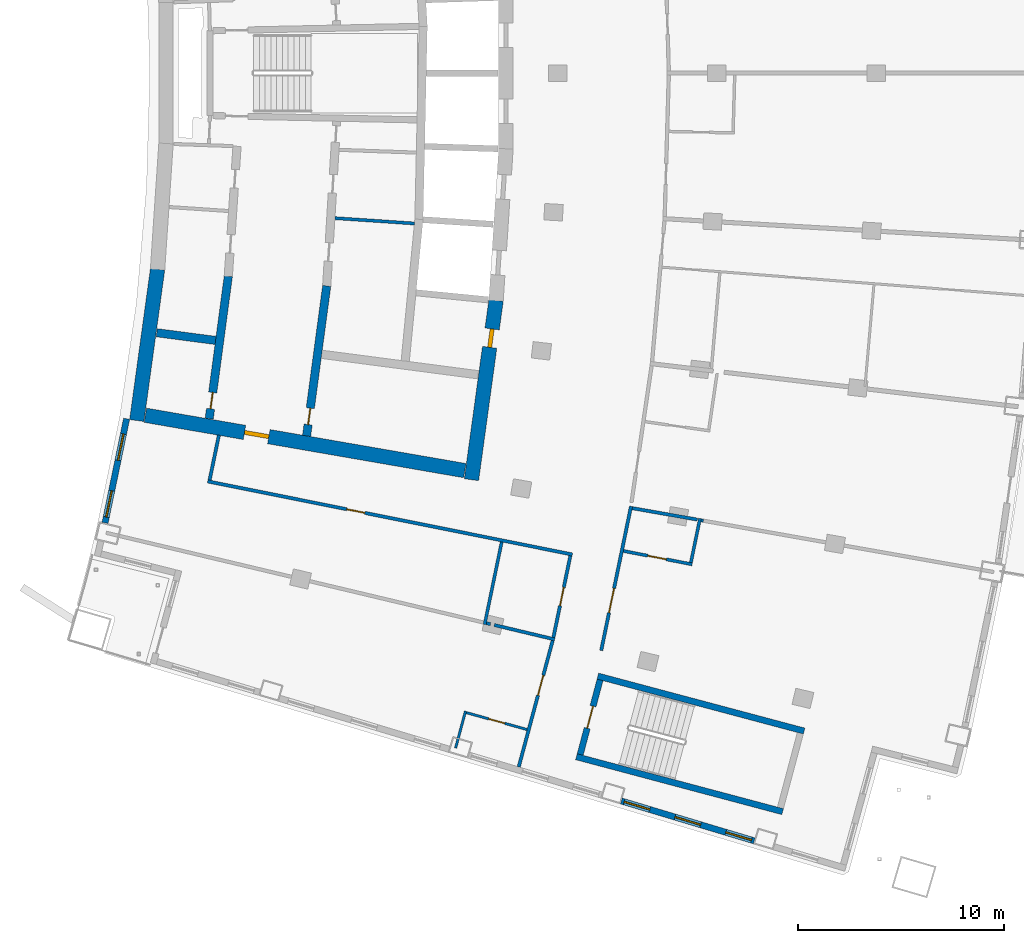
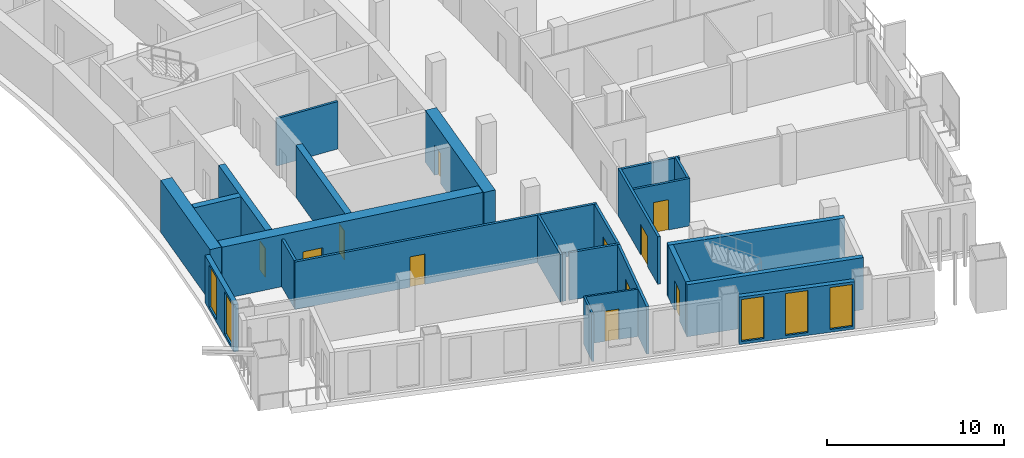
# One storey, part 10 of 19: 26 walls, 11 doors, 5 windows, 16 openings.
"""IFC4 building model written with IfcOpenShell, lengths in metres."""

from ifc_helpers import new_model, si_unit, direction, frame, frame_2d, origin, place, context, subcontext, project, spatial, rectangle, extrude, material, layer, layer_set, type_object, element, fill, save


model = new_model("IFC4")

# Units and contexts
model_context = context("Model", 3, precision=1e-05, world=origin(), true_north=direction((0.0, 1.0)))
body_context = subcontext(model_context, "Body", "Model", "MODEL_VIEW")
ifc_project = project(units=[si_unit("LENGTHUNIT", "METRE"), si_unit("AREAUNIT", "SQUARE_METRE"), si_unit("VOLUMEUNIT", "CUBIC_METRE"), si_unit("PLANEANGLEUNIT", "RADIAN"), si_unit("MASSUNIT", "GRAM", prefix="KILO")], contexts=[model_context])

# Site, building, storey
site_placement = place(None, origin())
site = spatial("IfcSite", under=ifc_project, at=site_placement, CompositionType="ELEMENT")
building_placement = place(site_placement, origin())
building = spatial("IfcBuilding", under=site, at=building_placement, Name="Alderwake Tower", CompositionType="ELEMENT")
storey_placement = place(building_placement, frame((0.0, 0.0, 174.800048828125)))
storey = spatial("IfcBuildingStorey", under=building, at=storey_placement, Name="L43", CompositionType="ELEMENT", Elevation=174.800048828125)

# Walls
ifc_material_1 = material(Name="Gypsum shaft wall system, rated")
ifc_layer_1 = layer(ifc_material_1, 0.14990234375)
ifc_layer_set_1 = layer_set([ifc_layer_1], Name="Core room partition 150")
wall_type_1 = type_object("IfcWallType", Name="Core room partition 150", PredefinedType="PARTITIONING", material=ifc_layer_set_1)
wall_1_placement = place(storey_placement, frame((24.990234375, 53.96142578125, 0.0), z_axis=(0.0, 0.0, 1.0), x_axis=(0.997758824467, -0.06691284031, 0.0)))
element("IfcWall", 1, at=wall_1_placement, inside=storey, type_object=wall_type_1, Name="CW/L43/PR-70_+86", PredefinedType="PARTITIONING", context=body_context, shape_type="SweptSolid", body=[
    extrude(rectangle(XDim=3.86767578125, YDim=0.14990234375, at=frame_2d((1.933837890625, 0.0))), origin(), (0.0, 0.0, 1.0), 3.280029296875),
])
ifc_material_2 = material(Name="Concrete C70/85", Category="concrete")
ifc_layer_2 = layer(ifc_material_2, 0.699951171875)
ifc_layer_set_2 = layer_set([ifc_layer_2], Name="Core wall outer 700 C70-85")
wall_type_2 = type_object("IfcWallType", Name="Core wall outer 700 C70-85", PredefinedType="SHEAR", material=ifc_layer_set_2)
wall_2_placement = place(storey_placement, frame((15.370849609375, 44.1376953125, 0.0), z_axis=(0.0, 0.0, 1.0), x_axis=(0.136315619812, 0.99066545907, 0.0)))
element("IfcWall", 2, at=wall_2_placement, inside=storey, type_object=wall_type_2, Name="Core wall CW.042", PredefinedType="SHEAR", context=body_context, shape_type="SweptSolid", body=[
    extrude(rectangle(XDim=7.420166015625, YDim=0.699951171875, at=frame_2d((3.7099609375, 0.0))), origin(), (0.0, 0.0, 1.0), 3.599853515625),
])

# Wall, opening, door
wall_3_placement = place(storey_placement, frame((32.81298828125, 49.97412109375, 0.0), z_axis=(0.0, 0.0, 1.0), x_axis=(-0.135835706655, -0.99073137671, 0.0)))
wall_3 = element("IfcWall", 3, at=wall_3_placement, inside=storey, type_object=wall_type_2, Name="Core wall CW.012", PredefinedType="SHEAR", context=body_context, shape_type="SweptSolid", body=[
    extrude(rectangle(XDim=8.790771484375, YDim=0.699951171875, at=frame_2d((4.3955078125, 0.0))), origin(), (0.0, 0.0, 1.0), 3.599853515625),
])
opening_1_placement = place(wall_3_placement, frame((1.40478515625, 0.0, 0.0)))
opening_1 = element("IfcOpeningElement", 4, at=opening_1_placement, cuts=wall_3, Name="Opening C050", PredefinedType="OPENING", context=body_context, shape_type="SweptSolid", body=[
    extrude(rectangle(XDim=0.89990234375, YDim=2.10009765625, at=frame_2d((0.449951171875, 1.050048828125))), frame((0.0, 0.35986328125, 0.0), z_axis=(0.0, -1.0, 0.0), x_axis=(1.0, 0.0, 0.0)), (0.0, 0.0, 1.0), 0.719970703125),
])
ifc_material_3 = material(Name="Painted steel leaf", Category="steel")
door_type_1 = type_object("IfcDoorType", Name="Core room door 900", OperationType="SINGLE_SWING_LEFT", PredefinedType="DOOR", material=ifc_material_3)
door_1_placement = place(opening_1_placement, origin())
door_1 = element("IfcDoor", 5, at=door_1_placement, inside=storey, type_object=door_type_1, Name="Room door", OperationType="SINGLE_SWING_RIGHT", OverallHeight=2.10009765625, OverallWidth=0.89990234375, PredefinedType="DOOR", context=body_context, shape_type="SweptSolid", body=[
    extrude(rectangle(XDim=0.89990234375, YDim=2.10009765625, at=frame_2d((0.449951171875, 1.050048828125))), frame((0.0, 0.10009765625, 0.0), z_axis=(0.0, -1.0, 0.0), x_axis=(1.0, 0.0, 0.0)), (0.0, 0.0, 1.0), 0.199951171875),
])
fill(opening_1, door_1)

wall_4_placement = place(storey_placement, frame((31.295654296875, 41.705810546875, 0.0), z_axis=(0.0, 0.0, 1.0), x_axis=(-0.985302589944, 0.170818050129, 0.0)))
wall_4 = element("IfcWall", 6, at=wall_4_placement, inside=storey, type_object=wall_type_2, Name="Core wall CW.072", PredefinedType="SHEAR", context=body_context, shape_type="SweptSolid", body=[
    extrude(rectangle(XDim=15.7373046875, YDim=0.699951171875, at=frame_2d((7.86865234375, 0.0))), origin(), (0.0, 0.0, 1.0), 3.599853515625),
])
opening_2_placement = place(wall_4_placement, frame((9.65576171875, 0.0, 0.0)))
opening_2 = element("IfcOpeningElement", 7, at=opening_2_placement, cuts=wall_4, Name="Opening C003", PredefinedType="OPENING", context=body_context, shape_type="SweptSolid", body=[
    extrude(rectangle(XDim=1.199951171875, YDim=2.10009765625, at=frame_2d((0.60009765625, 1.050048828125))), frame((0.0, 0.35986328125, 0.0), z_axis=(0.0, -1.0, 0.0), x_axis=(1.0, 0.0, 0.0)), (0.0, 0.0, 1.0), 0.719970703125),
])
ifc_material_4 = material(Name="Steel-framed fire door leaf", Category="steel")
door_type_2 = type_object("IfcDoorType", Name="Core lobby exit door 1200 fire-rated", OperationType="SINGLE_SWING_LEFT", PredefinedType="DOOR", material=ifc_material_4)
door_2_placement = place(opening_2_placement, origin())
door_2 = element("IfcDoor", 8, at=door_2_placement, inside=storey, type_object=door_type_2, Name="Lobby door", OperationType="SINGLE_SWING_LEFT", OverallHeight=2.10009765625, OverallWidth=1.199951171875, PredefinedType="DOOR", context=body_context, shape_type="SweptSolid", body=[
    extrude(rectangle(XDim=1.199951171875, YDim=2.10009765625, at=frame_2d((0.60009765625, 1.050048828125))), frame((0.0, 0.10009765625, 0.0), z_axis=(0.0, -1.0, 0.0), x_axis=(1.0, 0.0, 0.0)), (0.0, 0.0, 1.0), 0.199951171875),
])
fill(opening_2, door_2)

ifc_material_5 = material(Name="Concrete C70/85", Category="concrete")
ifc_layer_3 = layer(ifc_material_5, 0.39990234375)
ifc_layer_set_3 = layer_set([ifc_layer_3], Name="Core wall spine 400 C70-85")
wall_type_3 = type_object("IfcWallType", Name="Core wall spine 400 C70-85", PredefinedType="SHEAR", material=ifc_layer_set_3)
wall_5_placement = place(storey_placement, frame((19.814697265625, 51.143798828125, 0.0), z_axis=(0.0, 0.0, 1.0), x_axis=(-0.132864871698, -0.991134161387, 0.0)))
wall_5 = element("IfcWall", 9, at=wall_5_placement, inside=storey, type_object=wall_type_3, Name="Core wall CW.033", PredefinedType="SHEAR", context=body_context, shape_type="SweptSolid", body=[
    extrude(rectangle(XDim=6.978759765625, YDim=0.39990234375, at=frame_2d((3.4892578125, 0.0))), origin(), (0.0, 0.0, 1.0), 3.599853515625),
])
opening_3_placement = place(wall_5_placement, frame((5.69677734375, 0.0, 0.0)))
opening_3 = element("IfcOpeningElement", 10, at=opening_3_placement, cuts=wall_5, Name="Opening C007", PredefinedType="OPENING", context=body_context, shape_type="SweptSolid", body=[
    extrude(rectangle(XDim=0.800048828125, YDim=2.0, at=frame_2d((0.39990234375, 1.0))), frame((0.0, 0.2099609375, 0.0), z_axis=(0.0, -1.0, 0.0), x_axis=(1.0, 0.0, 0.0)), (0.0, 0.0, 1.0), 0.419921875),
])
ifc_material_6 = material(Name="Painted steel leaf, rated", Category="steel")
door_type_3 = type_object("IfcDoorType", Name="Riser access door 800", OperationType="SINGLE_SWING_LEFT", PredefinedType="DOOR", material=ifc_material_6)
door_3_placement = place(opening_3_placement, origin())
door_3 = element("IfcDoor", 11, at=door_3_placement, inside=storey, type_object=door_type_3, Name="Riser access door", OperationType="SINGLE_SWING_LEFT", OverallHeight=2.0, OverallWidth=0.800048828125, PredefinedType="DOOR", context=body_context, shape_type="SweptSolid", body=[
    extrude(rectangle(XDim=0.800048828125, YDim=2.0, at=frame_2d((0.39990234375, 1.0))), frame((0.0, 0.02490234375, 0.0), z_axis=(0.0, -1.0, 0.0), x_axis=(1.0, 0.0, 0.0)), (0.0, 0.0, 1.0), 0.050048828125),
])
fill(opening_3, door_3)

wall_6_placement = place(storey_placement, frame((23.6142578125, 43.390869140625, 0.0), z_axis=(0.0, 0.0, 1.0), x_axis=(0.133023466616, 0.991112888287, 0.0)))
wall_6 = element("IfcWall", 12, at=wall_6_placement, inside=storey, type_object=wall_type_3, Name="Core wall CW.047", PredefinedType="SHEAR", context=body_context, shape_type="SweptSolid", body=[
    extrude(rectangle(XDim=7.3466796875, YDim=0.39990234375, at=frame_2d((3.67333984375, 0.0))), origin(), (0.0, 0.0, 1.0), 3.599853515625),
])
opening_4_placement = place(wall_6_placement, frame((0.557861328125, 0.0, 0.0)))
opening_4 = element("IfcOpeningElement", 13, at=opening_4_placement, cuts=wall_6, Name="Opening C014", PredefinedType="OPENING", context=body_context, shape_type="SweptSolid", body=[
    extrude(rectangle(XDim=0.800048828125, YDim=2.0, at=frame_2d((0.39990234375, 1.0))), frame((0.0, 0.2099609375, 0.0), z_axis=(0.0, -1.0, 0.0), x_axis=(1.0, 0.0, 0.0)), (0.0, 0.0, 1.0), 0.419921875),
])
door_4_placement = place(opening_4_placement, origin())
door_4 = element("IfcDoor", 14, at=door_4_placement, inside=storey, type_object=door_type_3, Name="Riser access door", OperationType="SINGLE_SWING_RIGHT", OverallHeight=2.0, OverallWidth=0.800048828125, PredefinedType="DOOR", context=body_context, shape_type="SweptSolid", body=[
    extrude(rectangle(XDim=0.800048828125, YDim=2.0, at=frame_2d((0.39990234375, 1.0))), frame((0.0, 0.02490234375, 0.0), z_axis=(0.0, -1.0, 0.0), x_axis=(1.0, 0.0, 0.0)), (0.0, 0.0, 1.0), 0.050048828125),
])
fill(opening_4, door_4)

# Walls
wall_7_placement = place(storey_placement, frame((16.3408203125, 48.3994140625, 0.0), z_axis=(0.0, 0.0, 1.0), x_axis=(0.991544987266, -0.129763393253, 0.0)))
element("IfcWall", 15, at=wall_7_placement, inside=storey, type_object=wall_type_3, Name="Core wall CW.067", PredefinedType="SHEAR", context=body_context, shape_type="SweptSolid", body=[
    extrude(rectangle(XDim=2.878662109375, YDim=0.39990234375, at=frame_2d((1.439453125, 0.0))), origin(), (0.0, 0.0, 1.0), 3.599853515625),
])
ifc_material_7 = material(Name="Concrete C70/85", Category="concrete")
ifc_layer_4 = layer(ifc_material_7, 0.300048828125)
ifc_layer_set_4 = layer_set([ifc_layer_4], Name="Core wall stair enclosure 300 C70-85")
wall_type_4 = type_object("IfcWallType", Name="Core wall stair enclosure 300 C70-85", PredefinedType="SHEAR", material=ifc_layer_set_4)
for number, where, z_axis, x_axis, name in (
    (16, (37.75390625, 31.731201171875, 0.0), (0.0, 0.0, 1.0), (0.966309214305, -0.257383958996, 0.0), "Core wall CW.086"),
    (17, (36.71142578125, 27.817626953125, 0.0), (0.0, 0.0, 1.0), (0.966309214305, -0.257383958996, 0.0), "Core wall CW.088"),
):
    element("IfcWall", number, at=place(storey_placement, frame(where, z_axis=z_axis, x_axis=x_axis)), inside=storey, type_object=wall_type_4, Name=name, PredefinedType="SHEAR", context=body_context, shape_type="SweptSolid", body=[
        extrude(rectangle(XDim=10.360107421875, YDim=0.300048828125, at=frame_2d((5.18017578125, 0.0))), origin(), (0.0, 0.0, 1.0), 3.599853515625),
    ])

# Wall, opening, door
wall_8_placement = place(storey_placement, frame((36.89501953125, 27.923828125, 0.0), z_axis=(0.0, 0.0, 1.0), x_axis=(0.257350630826, 0.966318090907, 0.0)))
wall_8 = element("IfcWall", 18, at=wall_8_placement, inside=storey, type_object=wall_type_4, Name="Core wall CW.087", PredefinedType="SHEAR", context=body_context, shape_type="SweptSolid", body=[
    extrude(rectangle(XDim=3.75, YDim=0.300048828125, at=frame_2d((1.875, 0.0))), origin(), (0.0, 0.0, 1.0), 3.599853515625),
])
opening_5_placement = place(wall_8_placement, frame((1.324951171875, 0.0, 0.0)))
opening_5 = element("IfcOpeningElement", 19, at=opening_5_placement, cuts=wall_8, Name="Opening C065", PredefinedType="OPENING", context=body_context, shape_type="SweptSolid", body=[
    extrude(rectangle(XDim=1.10009765625, YDim=2.10009765625, at=frame_2d((0.550048828125, 1.050048828125))), frame((0.0, 0.159912109375, 0.0), z_axis=(0.0, -1.0, 0.0), x_axis=(1.0, 0.0, 0.0)), (0.0, 0.0, 1.0), 0.320068359375),
])
ifc_material_8 = material(Name="Steel-framed fire door leaf", Category="steel")
door_type_4 = type_object("IfcDoorType", Name="Core stair door 1100 fire-rated", OperationType="SINGLE_SWING_LEFT", PredefinedType="DOOR", material=ifc_material_8)
door_5_placement = place(opening_5_placement, origin())
door_5 = element("IfcDoor", 20, at=door_5_placement, inside=storey, type_object=door_type_4, Name="Stair door", OperationType="SINGLE_SWING_LEFT", OverallHeight=2.10009765625, OverallWidth=1.10009765625, PredefinedType="DOOR", context=body_context, shape_type="SweptSolid", body=[
    extrude(rectangle(XDim=1.10009765625, YDim=2.10009765625, at=frame_2d((0.550048828125, 1.050048828125))), frame((0.0, 0.02490234375, 0.0), z_axis=(0.0, -1.0, 0.0), x_axis=(1.0, 0.0, 0.0)), (0.0, 0.0, 1.0), 0.050048828125),
])
fill(opening_5, door_5)

ifc_material_9 = material(Name="Gypsum board on metal studs, rated")
ifc_layer_5 = layer(ifc_material_9, 0.159912109375)
ifc_layer_set_5 = layer_set([ifc_layer_5], Name="Corridor wall 160")
wall_type_5 = type_object("IfcWallType", Name="Corridor wall 160", PredefinedType="PARTITIONING", material=ifc_layer_set_5)
wall_9_placement = place(storey_placement, frame((36.513427734375, 37.63427734375, 0.0), z_axis=(0.0, 0.0, 1.0), x_axis=(-0.980470254867, 0.1966674333, 0.0)))
wall_9 = element("IfcWall", 21, at=wall_9_placement, inside=storey, type_object=wall_type_5, Name="WL/L43/W14", PredefinedType="PARTITIONING", context=body_context, shape_type="SweptSolid", body=[
    extrude(rectangle(XDim=18.053466796875, YDim=0.159912109375, at=frame_2d((9.02685546875, 0.0))), origin(), (0.0, 0.0, 1.0), 3.280029296875),
])
opening_6_placement = place(wall_9_placement, frame((10.277099609375, 0.0, 0.0)))
opening_6 = element("IfcOpeningElement", 22, at=opening_6_placement, cuts=wall_9, Name="Opening R12-SBS1", PredefinedType="OPENING", context=body_context, shape_type="SweptSolid", body=[
    extrude(rectangle(XDim=0.89990234375, YDim=2.10009765625, at=frame_2d((0.449951171875, 1.050048828125))), frame((0.0, 0.08984375, 0.0), z_axis=(0.0, -1.0, 0.0), x_axis=(1.0, 0.0, 0.0)), (0.0, 0.0, 1.0), 0.179931640625),
])
ifc_material_10 = material(Name="Painted timber leaf", Category="wood")
door_type_5 = type_object("IfcDoorType", Name="Room door 900", OperationType="SINGLE_SWING_LEFT", PredefinedType="DOOR", material=ifc_material_10)
door_6_placement = place(opening_6_placement, origin())
door_6 = element("IfcDoor", 23, at=door_6_placement, inside=storey, type_object=door_type_5, Name="DR/L43/SBS1", OperationType="SINGLE_SWING_LEFT", OverallHeight=2.10009765625, OverallWidth=0.89990234375, PredefinedType="DOOR", context=body_context, shape_type="SweptSolid", body=[
    extrude(rectangle(XDim=0.89990234375, YDim=2.10009765625, at=frame_2d((0.449951171875, 1.050048828125))), frame((0.0, 0.02490234375, 0.0), z_axis=(0.0, -1.0, 0.0), x_axis=(1.0, 0.0, 0.0)), (0.0, 0.0, 1.0), 0.050048828125),
])
fill(opening_6, door_6)

# Walls
wall_10_placement = place(storey_placement, frame((19.35888671875, 43.430908203125, 0.0), z_axis=(0.0, 0.0, 1.0), x_axis=(-0.202554916658, -0.979270905183, 0.0)))
element("IfcWall", 24, at=wall_10_placement, inside=storey, type_object=wall_type_5, Name="WL/L43/W15", PredefinedType="PARTITIONING", context=body_context, shape_type="SweptSolid", body=[
    extrude(rectangle(XDim=2.229736328125, YDim=0.159912109375, at=frame_2d((1.11474609375, 0.0))), origin(), (0.0, 0.0, 1.0), 3.280029296875),
])
wall_11_placement = place(storey_placement, frame((32.343994140625, 34.300048828125, 0.0), z_axis=(0.0, 0.0, 1.0), x_axis=(0.974391195695, -0.224859506699, 0.0)))
element("IfcWall", 25, at=wall_11_placement, inside=storey, type_object=wall_type_5, Name="WL/L43/W17", PredefinedType="PARTITIONING", context=body_context, shape_type="SweptSolid", body=[
    extrude(rectangle(XDim=0.205322265625, YDim=0.159912109375, at=frame_2d((0.1025390625, 0.0))), origin(), (0.0, 0.0, 1.0), 3.280029296875),
])
wall_12_placement = place(storey_placement, frame((32.725341796875, 34.210205078125, 0.0), z_axis=(0.0, 0.0, 1.0), x_axis=(0.972838360224, -0.231485474442, 0.0)))
element("IfcWall", 26, at=wall_12_placement, inside=storey, type_object=wall_type_5, Name="WL/L43/W18", PredefinedType="PARTITIONING", context=body_context, shape_type="SweptSolid", body=[
    extrude(rectangle(XDim=3.01416015625, YDim=0.159912109375, at=frame_2d((1.507080078125, 0.0))), origin(), (0.0, 0.0, 1.0), 3.280029296875),
])

# Wall, opening, door
wall_13_placement = place(storey_placement, frame((33.912109375, 27.321044921875, 0.0), z_axis=(0.0, 0.0, 1.0), x_axis=(0.259370874835, 0.965777794986, 0.0)))
wall_13 = element("IfcWall", 27, at=wall_13_placement, inside=storey, type_object=wall_type_5, Name="WL/L43/W20", PredefinedType="PARTITIONING", context=body_context, shape_type="SweptSolid", body=[
    extrude(rectangle(XDim=6.349853515625, YDim=0.159912109375, at=frame_2d((3.1748046875, 0.0))), origin(), (0.0, 0.0, 1.0), 3.280029296875),
])
opening_7_placement = place(wall_13_placement, frame((3.603515625, 0.0, 0.0)))
opening_7 = element("IfcOpeningElement", 28, at=opening_7_placement, cuts=wall_13, Name="Opening R12-U10.1", PredefinedType="OPENING", context=body_context, shape_type="SweptSolid", body=[
    extrude(rectangle(XDim=1.0, YDim=2.10009765625, at=frame_2d((0.5, 1.050048828125))), frame((0.0, 0.08984375, 0.0), z_axis=(0.0, -1.0, 0.0), x_axis=(1.0, 0.0, 0.0)), (0.0, 0.0, 1.0), 0.179931640625),
])
ifc_material_11 = material(Name="Solid timber leaf in steel frame", Category="steel")
door_type_6 = type_object("IfcDoorType", Name="Flat entrance door 1000 fire-rated", OperationType="SINGLE_SWING_LEFT", PredefinedType="DOOR", material=ifc_material_11)
door_7_placement = place(opening_7_placement, origin())
door_7 = element("IfcDoor", 29, at=door_7_placement, inside=storey, type_object=door_type_6, Name="DR/L43/U10.1", OperationType="SINGLE_SWING_LEFT", OverallHeight=2.10009765625, OverallWidth=1.0, PredefinedType="DOOR", context=body_context, shape_type="SweptSolid", body=[
    extrude(rectangle(XDim=1.0, YDim=2.10009765625, at=frame_2d((0.5, 1.050048828125))), frame((0.0, 0.02490234375, 0.0), z_axis=(0.0, -1.0, 0.0), x_axis=(1.0, 0.0, 0.0)), (0.0, 0.0, 1.0), 0.050048828125),
])
fill(opening_7, door_7)

wall_14_placement = place(storey_placement, frame((35.59619140625, 33.609375, 0.0), z_axis=(0.0, 0.0, 1.0), x_axis=(0.203245920818, 0.979127721838, 0.0)))
wall_14 = element("IfcWall", 30, at=wall_14_placement, inside=storey, type_object=wall_type_5, Name="WL/L43/W23", PredefinedType="PARTITIONING", context=body_context, shape_type="SweptSolid", body=[
    extrude(rectangle(XDim=4.046875, YDim=0.159912109375, at=frame_2d((2.0234375, 0.0))), origin(), (0.0, 0.0, 1.0), 3.280029296875),
])
opening_8_placement = place(wall_14_placement, frame((1.573486328125, 0.0, 0.0)))
opening_8 = element("IfcOpeningElement", 31, at=opening_8_placement, cuts=wall_14, Name="Opening R12-SBS2", PredefinedType="OPENING", context=body_context, shape_type="SweptSolid", body=[
    extrude(rectangle(XDim=0.89990234375, YDim=2.10009765625, at=frame_2d((0.449951171875, 1.050048828125))), frame((0.0, 0.08984375, 0.0), z_axis=(0.0, -1.0, 0.0), x_axis=(1.0, 0.0, 0.0)), (0.0, 0.0, 1.0), 0.179931640625),
])
door_8_placement = place(opening_8_placement, origin())
door_8 = element("IfcDoor", 32, at=door_8_placement, inside=storey, type_object=door_type_5, Name="DR/L43/SBS2", OperationType="SINGLE_SWING_LEFT", OverallHeight=2.10009765625, OverallWidth=0.89990234375, PredefinedType="DOOR", context=body_context, shape_type="SweptSolid", body=[
    extrude(rectangle(XDim=0.89990234375, YDim=2.10009765625, at=frame_2d((0.449951171875, 1.050048828125))), frame((0.0, 0.02490234375, 0.0), z_axis=(0.0, -1.0, 0.0), x_axis=(1.0, 0.0, 0.0)), (0.0, 0.0, 1.0), 0.050048828125),
])
fill(opening_8, door_8)

wall_15_placement = place(storey_placement, frame((39.3642578125, 39.975341796875, 0.0), z_axis=(0.0, 0.0, 1.0), x_axis=(-0.202490391407, -0.979284249535, 0.0)))
wall_15 = element("IfcWall", 33, at=wall_15_placement, inside=storey, type_object=wall_type_5, Name="WL/L43/W25", PredefinedType="PARTITIONING", context=body_context, shape_type="SweptSolid", body=[
    extrude(rectangle(XDim=7.147216796875, YDim=0.159912109375, at=frame_2d((3.57373046875, 0.0))), origin(), (0.0, 0.0, 1.0), 3.280029296875),
])
opening_9_placement = place(wall_15_placement, frame((4.073486328125, 0.0, 0.0)))
opening_9 = element("IfcOpeningElement", 34, at=opening_9_placement, cuts=wall_15, Name="Opening R12-AM1.1", PredefinedType="OPENING", context=body_context, shape_type="SweptSolid", body=[
    extrude(rectangle(XDim=1.199951171875, YDim=2.10009765625, at=frame_2d((0.60009765625, 1.050048828125))), frame((0.0, 0.08984375, 0.0), z_axis=(0.0, -1.0, 0.0), x_axis=(1.0, 0.0, 0.0)), (0.0, 0.0, 1.0), 0.179931640625),
])
ifc_material_12 = material(Name="Steel-framed fire door leaf", Category="steel")
door_type_7 = type_object("IfcDoorType", Name="Lobby door 1200 fire-rated", OperationType="SINGLE_SWING_LEFT", PredefinedType="DOOR", material=ifc_material_12)
door_9_placement = place(opening_9_placement, origin())
door_9 = element("IfcDoor", 35, at=door_9_placement, inside=storey, type_object=door_type_7, Name="DR/L43/AM1.1", OperationType="SINGLE_SWING_LEFT", OverallHeight=2.10009765625, OverallWidth=1.199951171875, PredefinedType="DOOR", context=body_context, shape_type="SweptSolid", body=[
    extrude(rectangle(XDim=1.199951171875, YDim=2.10009765625, at=frame_2d((0.60009765625, 1.050048828125))), frame((0.0, 0.02490234375, 0.0), z_axis=(0.0, -1.0, 0.0), x_axis=(1.0, 0.0, 0.0)), (0.0, 0.0, 1.0), 0.050048828125),
])
fill(opening_9, door_9)

# Walls
wall_16_placement = place(storey_placement, frame((42.579833984375, 39.328125, 0.0), z_axis=(0.0, 0.0, 1.0), x_axis=(-0.984863294771, 0.173332889587, 0.0)))
element("IfcWall", 36, at=wall_16_placement, inside=storey, type_object=wall_type_5, Name="WL/L43/W33", PredefinedType="PARTITIONING", context=body_context, shape_type="SweptSolid", body=[
    extrude(rectangle(XDim=3.201416015625, YDim=0.159912109375, at=frame_2d((1.6005859375, 0.0))), origin(), (0.0, 0.0, 1.0), 3.280029296875),
])
wall_17_placement = place(storey_placement, frame((42.8779296875, 39.2724609375, 0.0), z_axis=(0.0, 0.0, 1.0), x_axis=(-0.983295875598, 0.18201434293, 0.0)))
element("IfcWall", 37, at=wall_17_placement, inside=storey, type_object=wall_type_5, Name="WL/L43/W34", PredefinedType="PARTITIONING", context=body_context, shape_type="SweptSolid", body=[
    extrude(rectangle(XDim=0.11669921875, YDim=0.159912109375, at=frame_2d((0.058349609375, 0.0))), origin(), (0.0, 0.0, 1.0), 3.280029296875),
])

# Wall, openings, windows
ifc_material_13 = material(Name="Precast concrete C50/60 spandrel panel", Category="concrete")
ifc_layer_6 = layer(ifc_material_13, 0.300048828125)
ifc_layer_set_6 = layer_set([ifc_layer_6], Name="External wall EW1 Precast concrete C50/60 spandrel")
wall_type_6 = type_object("IfcWallType", Name="External wall EW1 Precast concrete C50/60 spandrel", PredefinedType="SOLIDWALL", material=ifc_layer_set_6)
wall_18_placement = place(storey_placement, frame((14.878173828125, 44.223388671875, 0.0), z_axis=(0.0, 0.0, 1.0), x_axis=(-0.202754243564, -0.979229654737, 0.0)))
wall_18 = element("IfcWall", 38, at=wall_18_placement, inside=storey, type_object=wall_type_6, Name="External wall 32", PredefinedType="SOLIDWALL", context=body_context, shape_type="SweptSolid", body=[
    extrude(rectangle(XDim=5.15966796875, YDim=0.300048828125, at=frame_2d((2.579833984375, 0.0))), origin(), (0.0, 0.0, 1.0), 3.280029296875),
])
opening_10_placement = place(wall_18_placement, frame((0.75634765625, 0.0, 0.199951171875)))
opening_10 = element("IfcOpeningElement", 39, at=opening_10_placement, cuts=wall_18, Name="Opening W1", PredefinedType="OPENING", context=body_context, shape_type="SweptSolid", body=[
    extrude(rectangle(XDim=1.300048828125, YDim=2.89990234375, at=frame_2d((0.64990234375, 1.449951171875))), frame((0.0, 0.159912109375, 0.0), z_axis=(0.0, -1.0, 0.0), x_axis=(1.0, 0.0, 0.0)), (0.0, 0.0, 1.0), 0.320068359375),
])
opening_11_placement = place(wall_18_placement, frame((3.569091796875, 0.0, 0.199951171875)))
opening_11 = element("IfcOpeningElement", 40, at=opening_11_placement, cuts=wall_18, Name="Opening W1", PredefinedType="OPENING", context=body_context, shape_type="SweptSolid", body=[
    extrude(rectangle(XDim=1.300048828125, YDim=2.89990234375, at=frame_2d((0.64990234375, 1.449951171875))), frame((0.0, 0.159912109375, 0.0), z_axis=(0.0, -1.0, 0.0), x_axis=(1.0, 0.0, 0.0)), (0.0, 0.0, 1.0), 0.320068359375),
])
ifc_material_14 = material(Name="Bronze tinted glass in aluminium frame", Category="aluminium")
window_type = type_object("IfcWindowType", Name="Window W1 tall fixed and vent", PartitioningType="DOUBLE_PANEL_VERTICAL", PredefinedType="WINDOW", material=ifc_material_14)
window_1_placement = place(opening_10_placement, origin())
window_1 = element("IfcWindow", 41, at=window_1_placement, inside=storey, type_object=window_type, Name="Window W1 tall fixed and vent", OverallHeight=2.89990234375, OverallWidth=1.300048828125, PartitioningType="DOUBLE_PANEL_VERTICAL", PredefinedType="WINDOW", context=body_context, shape_type="SweptSolid", body=[
    extrude(rectangle(XDim=1.300048828125, YDim=2.89990234375, at=frame_2d((0.64990234375, 1.449951171875))), frame((0.0, 0.030029296875, 0.0), z_axis=(0.0, -1.0, 0.0), x_axis=(1.0, 0.0, 0.0)), (0.0, 0.0, 1.0), 0.06005859375),
])
fill(opening_10, window_1)
window_2_placement = place(opening_11_placement, origin())
window_2 = element("IfcWindow", 42, at=window_2_placement, inside=storey, type_object=window_type, Name="Window W1 tall fixed and vent", OverallHeight=2.89990234375, OverallWidth=1.300048828125, PartitioningType="DOUBLE_PANEL_VERTICAL", PredefinedType="WINDOW", context=body_context, shape_type="SweptSolid", body=[
    extrude(rectangle(XDim=1.300048828125, YDim=2.89990234375, at=frame_2d((0.64990234375, 1.449951171875))), frame((0.0, 0.030029296875, 0.0), z_axis=(0.0, -1.0, 0.0), x_axis=(1.0, 0.0, 0.0)), (0.0, 0.0, 1.0), 0.06005859375),
])
fill(opening_11, window_2)

ifc_material_15 = material(Name="Bronze metal cladding on lightweight framing")
ifc_layer_7 = layer(ifc_material_15, 0.300048828125)
ifc_layer_set_7 = layer_set([ifc_layer_7], Name="External wall EW2 bronze metal cladding")
wall_type_7 = type_object("IfcWallType", Name="External wall EW2 bronze metal cladding", PredefinedType="SOLIDWALL", material=ifc_layer_set_7)
wall_19_placement = place(storey_placement, frame((38.89599609375, 25.66943359375, 0.0), z_axis=(0.0, 0.0, 1.0), x_axis=(0.957769353605, -0.287537589359, 0.0)))
wall_19 = element("IfcWall", 43, at=wall_19_placement, inside=storey, type_object=wall_type_7, Name="External wall 7", PredefinedType="SOLIDWALL", context=body_context, shape_type="SweptSolid", body=[
    extrude(rectangle(XDim=6.729736328125, YDim=0.300048828125, at=frame_2d((3.36474609375, 0.0))), origin(), (0.0, 0.0, 1.0), 3.280029296875),
])
opening_12_placement = place(wall_19_placement, frame((0.136962890625, 0.0, 0.199951171875)))
opening_12 = element("IfcOpeningElement", 44, at=opening_12_placement, cuts=wall_19, Name="Opening W1", PredefinedType="OPENING", context=body_context, shape_type="SweptSolid", body=[
    extrude(rectangle(XDim=1.300048828125, YDim=2.89990234375, at=frame_2d((0.64990234375, 1.449951171875))), frame((0.0, 0.159912109375, 0.0), z_axis=(0.0, -1.0, 0.0), x_axis=(1.0, 0.0, 0.0)), (0.0, 0.0, 1.0), 0.320068359375),
])
opening_13_placement = place(wall_19_placement, frame((2.71484375, 0.0, 0.199951171875)))
opening_13 = element("IfcOpeningElement", 45, at=opening_13_placement, cuts=wall_19, Name="Opening W1", PredefinedType="OPENING", context=body_context, shape_type="SweptSolid", body=[
    extrude(rectangle(XDim=1.300048828125, YDim=2.89990234375, at=frame_2d((0.64990234375, 1.449951171875))), frame((0.0, 0.159912109375, 0.0), z_axis=(0.0, -1.0, 0.0), x_axis=(1.0, 0.0, 0.0)), (0.0, 0.0, 1.0), 0.320068359375),
])
opening_14_placement = place(wall_19_placement, frame((5.29248046875, 0.0, 0.199951171875)))
opening_14 = element("IfcOpeningElement", 46, at=opening_14_placement, cuts=wall_19, Name="Opening W1", PredefinedType="OPENING", context=body_context, shape_type="SweptSolid", body=[
    extrude(rectangle(XDim=1.300048828125, YDim=2.89990234375, at=frame_2d((0.64990234375, 1.449951171875))), frame((0.0, 0.159912109375, 0.0), z_axis=(0.0, -1.0, 0.0), x_axis=(1.0, 0.0, 0.0)), (0.0, 0.0, 1.0), 0.320068359375),
])
window_3_placement = place(opening_12_placement, origin())
window_3 = element("IfcWindow", 47, at=window_3_placement, inside=storey, type_object=window_type, Name="Window W1 tall fixed and vent", OverallHeight=2.89990234375, OverallWidth=1.300048828125, PartitioningType="DOUBLE_PANEL_VERTICAL", PredefinedType="WINDOW", context=body_context, shape_type="SweptSolid", body=[
    extrude(rectangle(XDim=1.300048828125, YDim=2.89990234375, at=frame_2d((0.64990234375, 1.449951171875))), frame((0.0, 0.030029296875, 0.0), z_axis=(0.0, -1.0, 0.0), x_axis=(1.0, 0.0, 0.0)), (0.0, 0.0, 1.0), 0.06005859375),
])
fill(opening_12, window_3)
window_4_placement = place(opening_13_placement, origin())
window_4 = element("IfcWindow", 48, at=window_4_placement, inside=storey, type_object=window_type, Name="Window W1 tall fixed and vent", OverallHeight=2.89990234375, OverallWidth=1.300048828125, PartitioningType="DOUBLE_PANEL_VERTICAL", PredefinedType="WINDOW", context=body_context, shape_type="SweptSolid", body=[
    extrude(rectangle(XDim=1.300048828125, YDim=2.89990234375, at=frame_2d((0.64990234375, 1.449951171875))), frame((0.0, 0.030029296875, 0.0), z_axis=(0.0, -1.0, 0.0), x_axis=(1.0, 0.0, 0.0)), (0.0, 0.0, 1.0), 0.06005859375),
])
fill(opening_13, window_4)
window_5_placement = place(opening_14_placement, origin())
window_5 = element("IfcWindow", 49, at=window_5_placement, inside=storey, type_object=window_type, Name="Window W1 tall fixed and vent", OverallHeight=2.89990234375, OverallWidth=1.300048828125, PartitioningType="DOUBLE_PANEL_VERTICAL", PredefinedType="WINDOW", context=body_context, shape_type="SweptSolid", body=[
    extrude(rectangle(XDim=1.300048828125, YDim=2.89990234375, at=frame_2d((0.64990234375, 1.449951171875))), frame((0.0, 0.030029296875, 0.0), z_axis=(0.0, -1.0, 0.0), x_axis=(1.0, 0.0, 0.0)), (0.0, 0.0, 1.0), 0.06005859375),
])
fill(opening_14, window_5)

# Wall
ifc_material_16 = material(Name="Gypsum shaft wall system, rated")
ifc_layer_8 = layer(ifc_material_16, 0.14990234375)
ifc_layer_set_8 = layer_set([ifc_layer_8], Name="Riser and shaft wall 150")
wall_type_8 = type_object("IfcWallType", Name="Riser and shaft wall 150", PredefinedType="PARTITIONING", material=ifc_layer_set_8)
wall_20_placement = place(storey_placement, frame((32.2578125, 34.23876953125, 0.0), z_axis=(0.0, 0.0, 1.0), x_axis=(0.202579923059, 0.979265732462, 0.0)))
element("IfcWall", 50, at=wall_20_placement, inside=storey, type_object=wall_type_8, Name="WL/L43/W09", PredefinedType="PARTITIONING", context=body_context, shape_type="SweptSolid", body=[
    extrude(rectangle(XDim=4.086669921875, YDim=0.14990234375, at=frame_2d((2.04345703125, 0.0))), origin(), (0.0, 0.0, 1.0), 3.280029296875),
])

# Wall, opening, door
wall_21_placement = place(storey_placement, frame((38.99755859375, 37.8056640625, 0.0), z_axis=(0.0, 0.0, 1.0), x_axis=(0.981480367208, -0.191562754169, 0.0)))
wall_21 = element("IfcWall", 51, at=wall_21_placement, inside=storey, type_object=wall_type_8, Name="WL/L43/W11", PredefinedType="PARTITIONING", context=body_context, shape_type="SweptSolid", body=[
    extrude(rectangle(XDim=3.393798828125, YDim=0.14990234375, at=frame_2d((1.69677734375, 0.0))), origin(), (0.0, 0.0, 1.0), 3.280029296875),
])
opening_15_placement = place(wall_21_placement, frame((1.209228515625, 0.0, 0.0)))
opening_15 = element("IfcOpeningElement", 52, at=opening_15_placement, cuts=wall_21, Name="Opening R12-AM1.2", PredefinedType="OPENING", context=body_context, shape_type="SweptSolid", body=[
    extrude(rectangle(XDim=0.89990234375, YDim=2.10009765625, at=frame_2d((0.449951171875, 1.050048828125))), frame((0.0, 0.0849609375, 0.0), z_axis=(0.0, -1.0, 0.0), x_axis=(1.0, 0.0, 0.0)), (0.0, 0.0, 1.0), 0.169921875),
])
door_10_placement = place(opening_15_placement, origin())
door_10 = element("IfcDoor", 53, at=door_10_placement, inside=storey, type_object=door_type_5, Name="DR/L43/AM1.2", OperationType="SINGLE_SWING_LEFT", OverallHeight=2.10009765625, OverallWidth=0.89990234375, PredefinedType="DOOR", context=body_context, shape_type="SweptSolid", body=[
    extrude(rectangle(XDim=0.89990234375, YDim=2.10009765625, at=frame_2d((0.449951171875, 1.050048828125))), frame((0.0, 0.02490234375, 0.0), z_axis=(0.0, -1.0, 0.0), x_axis=(1.0, 0.0, 0.0)), (0.0, 0.0, 1.0), 0.050048828125),
])
fill(opening_15, door_10)

# Walls
wall_22_placement = place(storey_placement, frame((42.270263671875, 37.243408203125, 0.0), z_axis=(0.0, 0.0, 1.0), x_axis=(0.202147640184, 0.979355058989, 0.0)))
element("IfcWall", 54, at=wall_22_placement, inside=storey, type_object=wall_type_8, Name="WL/L43/W12", PredefinedType="PARTITIONING", context=body_context, shape_type="SweptSolid", body=[
    extrude(rectangle(XDim=2.18603515625, YDim=0.14990234375, at=frame_2d((1.093017578125, 0.0))), origin(), (0.0, 0.0, 1.0), 3.280029296875),
])
ifc_material_17 = material(Name="Moisture resistant gypsum board on metal studs")
ifc_layer_9 = layer(ifc_material_17, 0.1201171875)
ifc_layer_set_9 = layer_set([ifc_layer_9], Name="Wet room partition 120")
wall_type_9 = type_object("IfcWallType", Name="Wet room partition 120", PredefinedType="PARTITIONING", material=ifc_layer_set_9)
wall_23_placement = place(storey_placement, frame((31.32958984375, 30.031005859375, 0.0), z_axis=(0.0, 0.0, 1.0), x_axis=(-0.259368447521, -0.965778446866, 0.0)))
element("IfcWall", 55, at=wall_23_placement, inside=storey, type_object=wall_type_9, Name="WL/L43/W37", PredefinedType="PARTITIONING", context=body_context, shape_type="SweptSolid", body=[
    extrude(rectangle(XDim=1.8525390625, YDim=0.1201171875, at=frame_2d((0.92626953125, 0.0))), origin(), (0.0, 0.0, 1.0), 3.280029296875),
])

# Wall, opening, door
wall_24_placement = place(storey_placement, frame((34.31787109375, 29.136474609375, 0.0), z_axis=(0.0, 0.0, 1.0), x_axis=(-0.963351881246, 0.268240848677, 0.0)))
wall_24 = element("IfcWall", 56, at=wall_24_placement, inside=storey, type_object=wall_type_9, Name="WL/L43/W39", PredefinedType="PARTITIONING", context=body_context, shape_type="SweptSolid", body=[
    extrude(rectangle(XDim=3.05810546875, YDim=0.1201171875, at=frame_2d((1.529052734375, 0.0))), origin(), (0.0, 0.0, 1.0), 3.280029296875),
])
opening_16_placement = place(wall_24_placement, frame((1.129150390625, 0.0, 0.0)))
opening_16 = element("IfcOpeningElement", 57, at=opening_16_placement, cuts=wall_24, Name="Opening R12-U10.2", PredefinedType="OPENING", context=body_context, shape_type="SweptSolid", body=[
    extrude(rectangle(XDim=0.800048828125, YDim=2.10009765625, at=frame_2d((0.39990234375, 1.050048828125))), frame((0.0, 0.070068359375, 0.0), z_axis=(0.0, -1.0, 0.0), x_axis=(1.0, 0.0, 0.0)), (0.0, 0.0, 1.0), 0.14013671875),
])
ifc_material_18 = material(Name="Painted timber leaf", Category="wood")
door_type_8 = type_object("IfcDoorType", Name="Bathroom door 800", OperationType="SINGLE_SWING_LEFT", PredefinedType="DOOR", material=ifc_material_18)
door_11_placement = place(opening_16_placement, origin())
door_11 = element("IfcDoor", 58, at=door_11_placement, inside=storey, type_object=door_type_8, Name="DR/L43/U10.2", OperationType="SINGLE_SWING_LEFT", OverallHeight=2.10009765625, OverallWidth=0.800048828125, PredefinedType="DOOR", context=body_context, shape_type="SweptSolid", body=[
    extrude(rectangle(XDim=0.800048828125, YDim=2.10009765625, at=frame_2d((0.39990234375, 1.050048828125))), frame((0.0, 0.02490234375, 0.0), z_axis=(0.0, -1.0, 0.0), x_axis=(1.0, 0.0, 0.0)), (0.0, 0.0, 1.0), 0.050048828125),
])
fill(opening_16, door_11)

save(model, "model.ifc")
